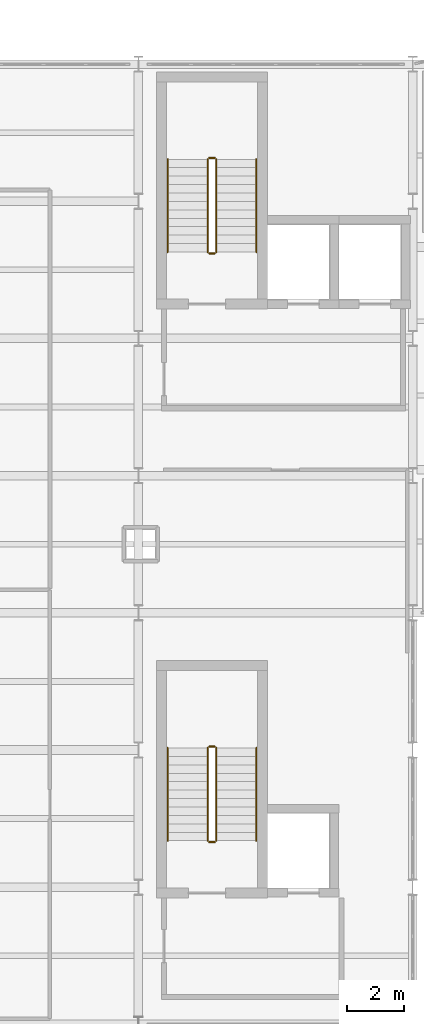
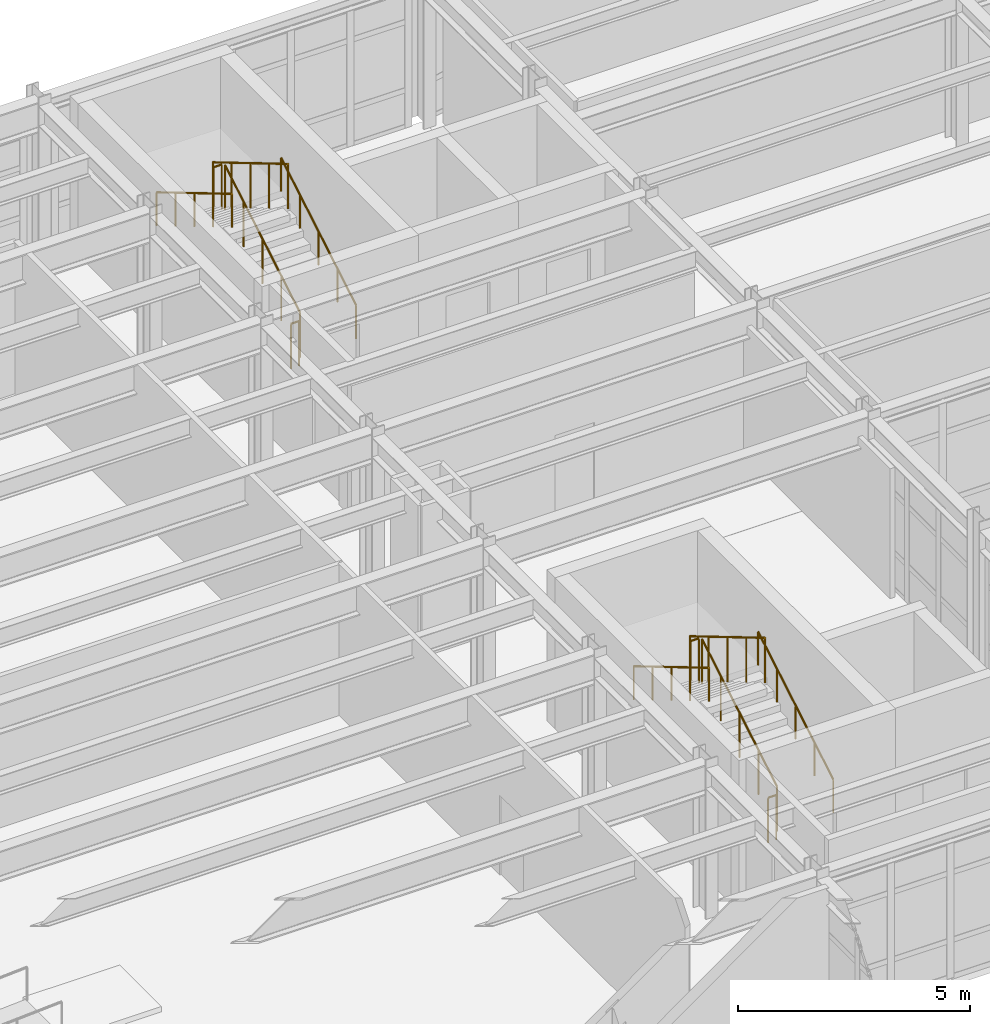
# One storey, part 74 of 76: 12 railings.
"""IFC4 building model written with IfcOpenShell, lengths in metres."""

from ifc_helpers import new_model, si_unit, direction, frame, origin, origin_2d, place, context, subcontext, project, spatial, circle, extrude, material, layer, layer_set, type_object, element, save


model = new_model("IFC4")

# Units and contexts
model_context = context("Model", 3, precision=1e-05, world=origin(), true_north=direction((0.0, 1.0)))
body_context = subcontext(model_context, "Body", "Model", "MODEL_VIEW")
ifc_project = project(units=[si_unit("LENGTHUNIT", "METRE"), si_unit("AREAUNIT", "SQUARE_METRE"), si_unit("VOLUMEUNIT", "CUBIC_METRE"), si_unit("PLANEANGLEUNIT", "RADIAN"), si_unit("MASSUNIT", "GRAM", prefix="KILO")], contexts=[model_context])

# Site, building, storey
site_placement = place(None, origin())
site = spatial("IfcSite", under=ifc_project, at=site_placement, CompositionType="ELEMENT")
building_placement = place(site_placement, origin())
building = spatial("IfcBuilding", under=site, at=building_placement, Name="Nordkorset Police Headquarters", CompositionType="ELEMENT")
storey_placement = place(building_placement, frame((0.0, 0.0, 13.64990234375)))
storey = spatial("IfcBuildingStorey", under=building, at=storey_placement, Name="L03", CompositionType="ELEMENT", Elevation=13.64990234375)

# Railings
ifc_material_1 = material(Name="Steel S355J2", Category="steel")
ifc_layer_1 = layer(ifc_material_1, 0.048095703125, Name="Steel S355J2")
ifc_layer_set_1 = layer_set([ifc_layer_1], Name="Steel S355J2")
railing_type_1 = type_object("IfcRailingType", Name="Railing_Handrail_900", PredefinedType="HANDRAIL", material=ifc_layer_set_1)
railing_1_placement = place(storey_placement, frame((23.324951171875, 110.22509765625, 0.175048828125)))
element("IfcRailing", 1, at=railing_1_placement, inside=storey, type_object=railing_type_1, Name="L03 ST-01 stair handrail 1", PredefinedType="HANDRAIL", context=body_context, shape_type="SweptSolid", body=[
    extrude(circle(Radius=0.02392578125, at=origin_2d()), frame((0.0, 0.0, 0.8759765625), z_axis=(0.0, 0.860040215814, 0.510226250974), x_axis=(-1.0, 0.0, 0.0)), (0.0, 0.0, 1.0), 3.77294921875),
    extrude(circle(Radius=0.02099609375, at=origin_2d()), origin(), (0.0, 0.0, 1.0), 0.851806640625),
    extrude(circle(Radius=0.02099609375, at=origin_2d()), frame((0.0, 0.811279296875, 0.481201171875)), (0.0, 0.0, 1.0), 0.851806640625),
    extrude(circle(Radius=0.02099609375, at=origin_2d()), frame((0.0, 1.62255859375, 0.96240234375)), (0.0, 0.0, 1.0), 0.851806640625),
    extrude(circle(Radius=0.02099609375, at=origin_2d()), frame((0.0, 2.43359375, 1.44384765625)), (0.0, 0.0, 1.0), 0.851806640625),
    extrude(circle(Radius=0.02099609375, at=origin_2d()), frame((0.0, 3.244873046875, 1.925048828125)), (0.0, 0.0, 1.0), 0.851806640625),
])
railing_2_placement = place(storey_placement, frame((20.22509765625, 113.469970703125, 2.275146484375)))
element("IfcRailing", 2, at=railing_2_placement, inside=storey, type_object=railing_type_1, Name="L03 ST-01 stair handrail 2", PredefinedType="HANDRAIL", context=body_context, shape_type="SweptSolid", body=[
    extrude(circle(Radius=0.02392578125, at=origin_2d()), frame((0.0, 0.0, 0.8759765625), z_axis=(0.0, -0.860040215814, 0.510226250974), x_axis=(1.0, 0.0, 0.0)), (0.0, 0.0, 1.0), 3.77294921875),
    extrude(circle(Radius=0.02099609375, at=origin_2d()), origin(), (0.0, 0.0, 1.0), 0.851806640625),
    extrude(circle(Radius=0.02099609375, at=origin_2d()), frame((0.0, -0.811279296875, 0.481201171875)), (0.0, 0.0, 1.0), 0.851806640625),
    extrude(circle(Radius=0.02099609375, at=origin_2d()), frame((0.0, -1.62255859375, 0.96240234375)), (0.0, 0.0, 1.0), 0.851806640625),
    extrude(circle(Radius=0.02099609375, at=origin_2d()), frame((0.0, -2.43359375, 1.44384765625)), (0.0, 0.0, 1.0), 0.851806640625),
    extrude(circle(Radius=0.02099609375, at=origin_2d()), frame((0.0, -3.244873046875, 1.925048828125)), (0.0, 0.0, 1.0), 0.851806640625),
])
railing_3_placement = place(storey_placement, frame((23.324951171875, 89.625, 0.175048828125)))
element("IfcRailing", 3, at=railing_3_placement, inside=storey, type_object=railing_type_1, Name="L03 ST-03 stair handrail 1", PredefinedType="HANDRAIL", context=body_context, shape_type="SweptSolid", body=[
    extrude(circle(Radius=0.02392578125, at=origin_2d()), frame((0.0, 0.0, 0.8759765625), z_axis=(0.0, 0.860057060016, 0.510197857224), x_axis=(-1.0, 0.0, 0.0)), (0.0, 0.0, 1.0), 3.773193359375),
    extrude(circle(Radius=0.02099609375, at=origin_2d()), origin(), (0.0, 0.0, 1.0), 0.851806640625),
    extrude(circle(Radius=0.02099609375, at=origin_2d()), frame((0.0, 0.811279296875, 0.481201171875)), (0.0, 0.0, 1.0), 0.851806640625),
    extrude(circle(Radius=0.02099609375, at=origin_2d()), frame((0.0, 1.62255859375, 0.96240234375)), (0.0, 0.0, 1.0), 0.851806640625),
    extrude(circle(Radius=0.02099609375, at=origin_2d()), frame((0.0, 2.433837890625, 1.44384765625)), (0.0, 0.0, 1.0), 0.851806640625),
    extrude(circle(Radius=0.02099609375, at=origin_2d()), frame((0.0, 3.2451171875, 1.925048828125)), (0.0, 0.0, 1.0), 0.851806640625),
])
railing_4_placement = place(storey_placement, frame((20.22509765625, 92.8701171875, 2.275146484375)))
element("IfcRailing", 4, at=railing_4_placement, inside=storey, type_object=railing_type_1, Name="L03 ST-03 stair handrail 2", PredefinedType="HANDRAIL", context=body_context, shape_type="SweptSolid", body=[
    extrude(circle(Radius=0.02392578125, at=origin_2d()), frame((0.0, 0.0, 0.8759765625), z_axis=(0.0, -0.860057060016, 0.510197857224), x_axis=(1.0, 0.0, 0.0)), (0.0, 0.0, 1.0), 3.773193359375),
    extrude(circle(Radius=0.02099609375, at=origin_2d()), origin(), (0.0, 0.0, 1.0), 0.851806640625),
    extrude(circle(Radius=0.02099609375, at=origin_2d()), frame((0.0, -0.811279296875, 0.481201171875)), (0.0, 0.0, 1.0), 0.851806640625),
    extrude(circle(Radius=0.02099609375, at=origin_2d()), frame((0.0, -1.62255859375, 0.96240234375)), (0.0, 0.0, 1.0), 0.851806640625),
    extrude(circle(Radius=0.02099609375, at=origin_2d()), frame((0.0, -2.433837890625, 1.44384765625)), (0.0, 0.0, 1.0), 0.851806640625),
    extrude(circle(Radius=0.02099609375, at=origin_2d()), frame((0.0, -3.2451171875, 1.925048828125)), (0.0, 0.0, 1.0), 0.851806640625),
])
ifc_material_2 = material(Name="Steel S355J2", Category="steel")
ifc_layer_2 = layer(ifc_material_2, 0.050048828125, Name="Steel S355J2")
ifc_layer_set_2 = layer_set([ifc_layer_2], Name="Steel S355J2")
railing_type_2 = type_object("IfcRailingType", Name="Railing_StairGuard_1200", PredefinedType="GUARDRAIL", material=ifc_layer_set_2)
railing_5_placement = place(storey_placement, frame((21.925048828125, 110.22509765625, 0.175048828125)))
element("IfcRailing", 5, at=railing_5_placement, inside=storey, type_object=railing_type_2, Name="L03 ST-01 stair guard 1", PredefinedType="GUARDRAIL", context=body_context, shape_type="SweptSolid", body=[
    extrude(circle(Radius=0.02392578125, at=origin_2d()), frame((0.0, 0.0, 1.17578125), z_axis=(0.0, 0.860040215814, 0.510226250974), x_axis=(-1.0, 0.0, 0.0)), (0.0, 0.0, 1.0), 3.77294921875),
    extrude(circle(Radius=0.02099609375, at=origin_2d()), origin(), (0.0, 0.0, 1.0), 1.15185546875),
    extrude(circle(Radius=0.02099609375, at=origin_2d()), frame((0.0, 0.811279296875, 0.481201171875)), (0.0, 0.0, 1.0), 1.15185546875),
    extrude(circle(Radius=0.02099609375, at=origin_2d()), frame((0.0, 1.62255859375, 0.96240234375)), (0.0, 0.0, 1.0), 1.15185546875),
    extrude(circle(Radius=0.02099609375, at=origin_2d()), frame((0.0, 2.43359375, 1.44384765625)), (0.0, 0.0, 1.0), 1.15185546875),
    extrude(circle(Radius=0.02099609375, at=origin_2d()), frame((0.0, 3.244873046875, 1.925048828125)), (0.0, 0.0, 1.0), 1.15185546875),
])
railing_6_placement = place(storey_placement, frame((21.875, 113.52001953125, 2.10009765625)))
element("IfcRailing", 6, at=railing_6_placement, inside=storey, type_object=railing_type_2, Name="L03 ST-01 stair guard 2", PredefinedType="GUARDRAIL", context=body_context, shape_type="SweptSolid", body=[
    extrude(circle(Radius=0.02392578125, at=origin_2d()), frame((0.0, 0.0, 1.17578125), z_axis=(-1.0, 0.0, 0.0), x_axis=(0.0, -1.0, 0.0)), (0.0, 0.0, 1.0), 0.199951171875),
    extrude(circle(Radius=0.02099609375, at=origin_2d()), origin(), (0.0, 0.0, 1.0), 1.15185546875),
    extrude(circle(Radius=0.02099609375, at=origin_2d()), frame((-0.199951171875, 0.0, 0.0)), (0.0, 0.0, 1.0), 1.15185546875),
])
railing_7_placement = place(storey_placement, frame((21.625, 113.469970703125, 2.275146484375)))
element("IfcRailing", 7, at=railing_7_placement, inside=storey, type_object=railing_type_2, Name="L03 ST-01 stair guard 3", PredefinedType="GUARDRAIL", context=body_context, shape_type="SweptSolid", body=[
    extrude(circle(Radius=0.02392578125, at=origin_2d()), frame((0.0, 0.0, 1.17578125), z_axis=(0.0, -0.860040215814, 0.510226250974), x_axis=(1.0, 0.0, 0.0)), (0.0, 0.0, 1.0), 3.77294921875),
    extrude(circle(Radius=0.02099609375, at=origin_2d()), origin(), (0.0, 0.0, 1.0), 1.15185546875),
    extrude(circle(Radius=0.02099609375, at=origin_2d()), frame((0.0, -0.811279296875, 0.481201171875)), (0.0, 0.0, 1.0), 1.15185546875),
    extrude(circle(Radius=0.02099609375, at=origin_2d()), frame((0.0, -1.62255859375, 0.96240234375)), (0.0, 0.0, 1.0), 1.15185546875),
    extrude(circle(Radius=0.02099609375, at=origin_2d()), frame((0.0, -2.43359375, 1.44384765625)), (0.0, 0.0, 1.0), 1.15185546875),
    extrude(circle(Radius=0.02099609375, at=origin_2d()), frame((0.0, -3.244873046875, 1.925048828125)), (0.0, 0.0, 1.0), 1.15185546875),
])
railing_8_placement = place(storey_placement, frame((21.875, 110.175048828125, 0.0)))
element("IfcRailing", 8, at=railing_8_placement, inside=storey, type_object=railing_type_2, Name="L03 ST-01 stair guard 4", PredefinedType="GUARDRAIL", context=body_context, shape_type="SweptSolid", body=[
    extrude(circle(Radius=0.02392578125, at=origin_2d()), frame((0.0, 0.0, 1.17578125), z_axis=(-1.0, 0.0, 0.0), x_axis=(0.0, -1.0, 0.0)), (0.0, 0.0, 1.0), 0.199951171875),
    extrude(circle(Radius=0.02099609375, at=origin_2d()), origin(), (0.0, 0.0, 1.0), 1.15185546875),
    extrude(circle(Radius=0.02099609375, at=origin_2d()), frame((-0.199951171875, 0.0, 0.0)), (0.0, 0.0, 1.0), 1.15185546875),
])
railing_9_placement = place(storey_placement, frame((21.925048828125, 89.625, 0.175048828125)))
element("IfcRailing", 9, at=railing_9_placement, inside=storey, type_object=railing_type_2, Name="L03 ST-03 stair guard 1", PredefinedType="GUARDRAIL", context=body_context, shape_type="SweptSolid", body=[
    extrude(circle(Radius=0.02392578125, at=origin_2d()), frame((0.0, 0.0, 1.17578125), z_axis=(0.0, 0.860057060016, 0.510197857224), x_axis=(-1.0, 0.0, 0.0)), (0.0, 0.0, 1.0), 3.773193359375),
    extrude(circle(Radius=0.02099609375, at=origin_2d()), origin(), (0.0, 0.0, 1.0), 1.15185546875),
    extrude(circle(Radius=0.02099609375, at=origin_2d()), frame((0.0, 0.811279296875, 0.481201171875)), (0.0, 0.0, 1.0), 1.15185546875),
    extrude(circle(Radius=0.02099609375, at=origin_2d()), frame((0.0, 1.62255859375, 0.96240234375)), (0.0, 0.0, 1.0), 1.15185546875),
    extrude(circle(Radius=0.02099609375, at=origin_2d()), frame((0.0, 2.433837890625, 1.44384765625)), (0.0, 0.0, 1.0), 1.15185546875),
    extrude(circle(Radius=0.02099609375, at=origin_2d()), frame((0.0, 3.2451171875, 1.925048828125)), (0.0, 0.0, 1.0), 1.15185546875),
])
railing_10_placement = place(storey_placement, frame((21.875, 92.919921875, 2.10009765625)))
element("IfcRailing", 10, at=railing_10_placement, inside=storey, type_object=railing_type_2, Name="L03 ST-03 stair guard 2", PredefinedType="GUARDRAIL", context=body_context, shape_type="SweptSolid", body=[
    extrude(circle(Radius=0.02392578125, at=origin_2d()), frame((0.0, 0.0, 1.17578125), z_axis=(-1.0, 0.0, 0.0), x_axis=(0.0, -1.0, 0.0)), (0.0, 0.0, 1.0), 0.199951171875),
    extrude(circle(Radius=0.02099609375, at=origin_2d()), origin(), (0.0, 0.0, 1.0), 1.15185546875),
    extrude(circle(Radius=0.02099609375, at=origin_2d()), frame((-0.199951171875, 0.0, 0.0)), (0.0, 0.0, 1.0), 1.15185546875),
])
railing_11_placement = place(storey_placement, frame((21.625, 92.8701171875, 2.275146484375)))
element("IfcRailing", 11, at=railing_11_placement, inside=storey, type_object=railing_type_2, Name="L03 ST-03 stair guard 3", PredefinedType="GUARDRAIL", context=body_context, shape_type="SweptSolid", body=[
    extrude(circle(Radius=0.02392578125, at=origin_2d()), frame((0.0, 0.0, 1.17578125), z_axis=(0.0, -0.860057060016, 0.510197857224), x_axis=(1.0, 0.0, 0.0)), (0.0, 0.0, 1.0), 3.773193359375),
    extrude(circle(Radius=0.02099609375, at=origin_2d()), origin(), (0.0, 0.0, 1.0), 1.15185546875),
    extrude(circle(Radius=0.02099609375, at=origin_2d()), frame((0.0, -0.811279296875, 0.481201171875)), (0.0, 0.0, 1.0), 1.15185546875),
    extrude(circle(Radius=0.02099609375, at=origin_2d()), frame((0.0, -1.62255859375, 0.96240234375)), (0.0, 0.0, 1.0), 1.15185546875),
    extrude(circle(Radius=0.02099609375, at=origin_2d()), frame((0.0, -2.433837890625, 1.44384765625)), (0.0, 0.0, 1.0), 1.15185546875),
    extrude(circle(Radius=0.02099609375, at=origin_2d()), frame((0.0, -3.2451171875, 1.925048828125)), (0.0, 0.0, 1.0), 1.15185546875),
])
railing_12_placement = place(storey_placement, frame((21.875, 89.574951171875, 0.0)))
element("IfcRailing", 12, at=railing_12_placement, inside=storey, type_object=railing_type_2, Name="L03 ST-03 stair guard 4", PredefinedType="GUARDRAIL", context=body_context, shape_type="SweptSolid", body=[
    extrude(circle(Radius=0.02392578125, at=origin_2d()), frame((0.0, 0.0, 1.17578125), z_axis=(-1.0, 0.0, 0.0), x_axis=(0.0, -1.0, 0.0)), (0.0, 0.0, 1.0), 0.199951171875),
    extrude(circle(Radius=0.02099609375, at=origin_2d()), origin(), (0.0, 0.0, 1.0), 1.15185546875),
    extrude(circle(Radius=0.02099609375, at=origin_2d()), frame((-0.199951171875, 0.0, 0.0)), (0.0, 0.0, 1.0), 1.15185546875),
])

save(model, "model.ifc")
